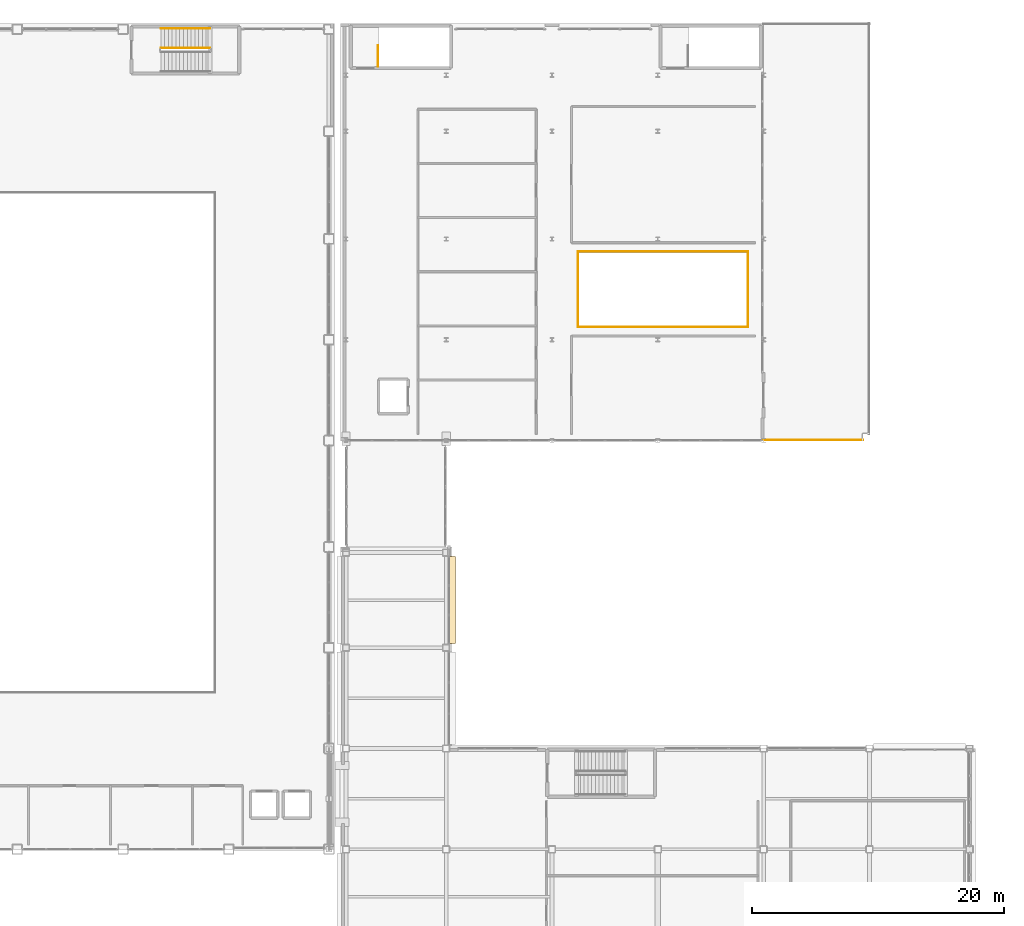
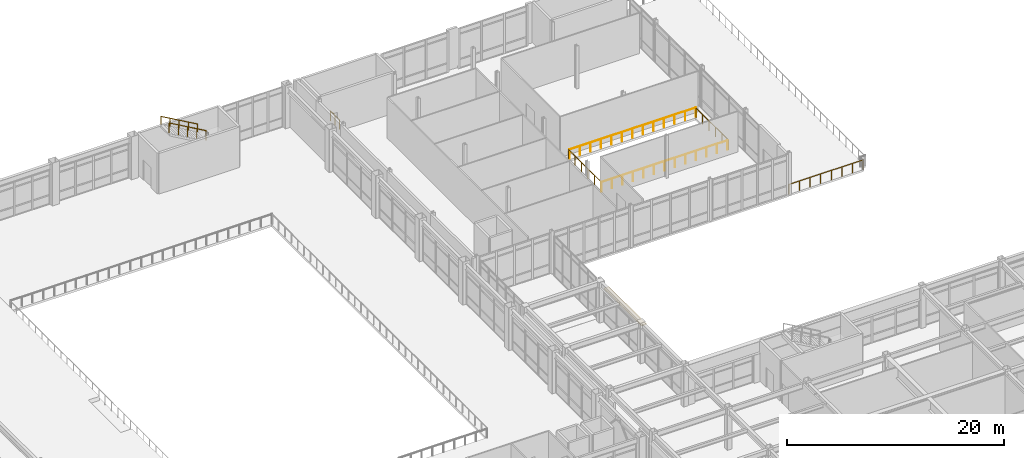
# One storey, part 148 of 154: 8 railings, 1 covering.
"""IFC4 building model written with IfcOpenShell, lengths in metres."""

from ifc_helpers import new_model, si_unit, direction, frame, origin, origin_2d, place, context, subcontext, project, spatial, rectangle, circle, extrude, material, layer, layer_set, type_object, element, save


model = new_model("IFC4")

# Units and contexts
model_context = context("Model", 3, precision=1e-05, world=origin(), true_north=direction((0.0, 1.0)))
body_context = subcontext(model_context, "Body", "Model", "MODEL_VIEW")
ifc_project = project(units=[si_unit("LENGTHUNIT", "METRE"), si_unit("AREAUNIT", "SQUARE_METRE"), si_unit("VOLUMEUNIT", "CUBIC_METRE"), si_unit("PLANEANGLEUNIT", "RADIAN"), si_unit("MASSUNIT", "GRAM", prefix="KILO")], contexts=[model_context])

# Site, building, storey
site_placement = place(None, origin())
site = spatial("IfcSite", under=ifc_project, at=site_placement, CompositionType="ELEMENT")
building_placement = place(site_placement, origin())
building = spatial("IfcBuilding", under=site, at=building_placement, Name="Kazehara Bluff Congress Hotel", CompositionType="ELEMENT")
storey_placement = place(building_placement, frame((0.0, 0.0, 10.199951171875)))
storey = spatial("IfcBuildingStorey", under=building, at=storey_placement, Name="L02", CompositionType="ELEMENT", Elevation=10.199951171875)

# Covering
ifc_material_1 = material(Name="Anodised aluminium architectural brise-soleil", Category="aluminium")
ifc_layer = layer(ifc_material_1, 0.10009765625)
ifc_layer_set = layer_set([ifc_layer], Name="Anodised aluminium architectural brise-soleil")
covering_type = type_object("IfcCoveringType", Name="TP-FAC-FIN", PredefinedType="CLADDING", material=ifc_layer_set)
covering_placement = place(storey_placement, frame((68.1201171875, 68.22509765625, 3.715087890625), z_axis=(0.0, 0.0, 1.0), x_axis=(1.0, 0.0, 0.0)))
element("IfcCovering", 1, at=covering_placement, inside=storey, type_object=covering_type, Name="L02 V4 architectural sun-hood 94", PredefinedType="CLADDING", context=body_context, shape_type="SweptSolid", body=[
    extrude(rectangle(XDim=0.52001953125, YDim=6.89990234375, at=origin_2d()), origin(), (0.0, 0.0, 1.0), 0.10009765625),
])

# Railings
ifc_material_2 = material(Name="Painted galvanised steel", Category="steel")
railing_type_1 = type_object("IfcRailingType", Name="TP-GRD-EXT", PredefinedType="BALUSTRADE", material=ifc_material_2)
railing_1_placement = place(storey_placement, frame((92.85009765625, 80.949951171875, 0.0)))
element("IfcRailing", 2, at=railing_1_placement, inside=storey, type_object=railing_type_1, Name="Spa Bluff Sun Terrace edge guard 1", PredefinedType="BALUSTRADE", context=body_context, shape_type="SweptSolid", body=[
    extrude(circle(Radius=0.02392578125, at=origin_2d()), frame((0.0, 0.0, 1.076171875), z_axis=(1.0, 0.0, 0.0), x_axis=(0.0, 1.0, 0.0)), (0.0, 0.0, 1.0), 7.89990234375),
    extrude(circle(Radius=0.02099609375, at=origin_2d()), origin(), (0.0, 0.0, 1.0), 1.052001953125),
    extrude(circle(Radius=0.02099609375, at=origin_2d()), frame((1.128662109375, 0.0, 0.0)), (0.0, 0.0, 1.0), 1.052001953125),
    extrude(circle(Radius=0.02099609375, at=origin_2d()), frame((2.257080078125, 0.0, 0.0)), (0.0, 0.0, 1.0), 1.052001953125),
    extrude(circle(Radius=0.02099609375, at=origin_2d()), frame((3.3857421875, 0.0, 0.0)), (0.0, 0.0, 1.0), 1.052001953125),
    extrude(circle(Radius=0.02099609375, at=origin_2d()), frame((4.51416015625, 0.0, 0.0)), (0.0, 0.0, 1.0), 1.052001953125),
    extrude(circle(Radius=0.02099609375, at=origin_2d()), frame((5.642822265625, 0.0, 0.0)), (0.0, 0.0, 1.0), 1.052001953125),
    extrude(circle(Radius=0.02099609375, at=origin_2d()), frame((6.771240234375, 0.0, 0.0)), (0.0, 0.0, 1.0), 1.052001953125),
    extrude(circle(Radius=0.02099609375, at=origin_2d()), frame((7.89990234375, 0.0, 0.0)), (0.0, 0.0, 1.0), 1.052001953125),
])
ifc_material_3 = material(Name="Brushed stainless steel", Category="steel")
railing_type_2 = type_object("IfcRailingType", Name="TP-GRD-INT", PredefinedType="GUARDRAIL", material=ifc_material_3)
railing_2_placement = place(storey_placement, frame((48.89990234375, 112.050048828125, 2.571533203125)))
element("IfcRailing", 3, at=railing_2_placement, inside=storey, type_object=railing_type_2, Name="L02 ST-02 stair guard 3", PredefinedType="GUARDRAIL", context=body_context, shape_type="SweptSolid", body=[
    extrude(circle(Radius=0.02392578125, at=origin_2d()), frame((0.0, 0.0, 1.076171875), z_axis=(-0.868243142124, 0.0, 0.496138938357), x_axis=(0.0, -1.0, 0.0)), (0.0, 0.0, 1.0), 4.49169921875),
    extrude(circle(Radius=0.02099609375, at=origin_2d()), origin(), (0.0, 0.0, 1.0), 1.052001953125),
    extrude(circle(Radius=0.02099609375, at=origin_2d()), frame((-0.97509765625, 0.0, 0.55712890625)), (0.0, 0.0, 1.0), 1.052001953125),
    extrude(circle(Radius=0.02099609375, at=origin_2d()), frame((-1.949951171875, 0.0, 1.1142578125)), (0.0, 0.0, 1.0), 1.052001953125),
    extrude(circle(Radius=0.02099609375, at=origin_2d()), frame((-2.9248046875, 0.0, 1.67138671875)), (0.0, 0.0, 1.0), 1.052001953125),
    extrude(circle(Radius=0.02099609375, at=origin_2d()), frame((-3.89990234375, 0.0, 2.228515625)), (0.0, 0.0, 1.0), 1.052001953125),
])
railing_3_placement = place(storey_placement, frame((62.25, 110.60009765625, 0.0)))
element("IfcRailing", 4, at=railing_3_placement, inside=storey, type_object=railing_type_2, Name="L02 ST-06 top well guard 1", PredefinedType="GUARDRAIL", context=body_context, shape_type="SweptSolid", body=[
    extrude(circle(Radius=0.02392578125, at=origin_2d()), frame((0.0, 0.0, 1.076171875), z_axis=(0.0, 1.0, 0.0), x_axis=(-1.0, 0.0, 0.0)), (0.0, 0.0, 1.0), 1.64990234375),
    extrude(circle(Radius=0.02099609375, at=origin_2d()), origin(), (0.0, 0.0, 1.0), 1.052001953125),
    extrude(circle(Radius=0.02099609375, at=origin_2d()), frame((0.0, 0.824951171875, 0.0)), (0.0, 0.0, 1.0), 1.052001953125),
    extrude(circle(Radius=0.02099609375, at=origin_2d()), frame((0.0, 1.64990234375, 0.0)), (0.0, 0.0, 1.0), 1.052001953125),
])
railing_4_placement = place(storey_placement, frame((78.10009765625, 89.89990234375, 0.0)))
element("IfcRailing", 5, at=railing_4_placement, inside=storey, type_object=railing_type_2, Name="L02 V3-OVLK void guardrail S", PredefinedType="GUARDRAIL", context=body_context, shape_type="SweptSolid", body=[
    extrude(circle(Radius=0.02392578125, at=origin_2d()), frame((0.0, 0.0, 1.076171875), z_axis=(1.0, 0.0, 0.0), x_axis=(0.0, 1.0, 0.0)), (0.0, 0.0, 1.0), 13.419921875),
    extrude(circle(Radius=0.02099609375, at=origin_2d()), origin(), (0.0, 0.0, 1.0), 1.052001953125),
    extrude(circle(Radius=0.02099609375, at=origin_2d()), frame((1.118408203125, 0.0, 0.0)), (0.0, 0.0, 1.0), 1.052001953125),
    extrude(circle(Radius=0.02099609375, at=origin_2d()), frame((2.236572265625, 0.0, 0.0)), (0.0, 0.0, 1.0), 1.052001953125),
    extrude(circle(Radius=0.02099609375, at=origin_2d()), frame((3.35498046875, 0.0, 0.0)), (0.0, 0.0, 1.0), 1.052001953125),
    extrude(circle(Radius=0.02099609375, at=origin_2d()), frame((4.473388671875, 0.0, 0.0)), (0.0, 0.0, 1.0), 1.052001953125),
    extrude(circle(Radius=0.02099609375, at=origin_2d()), frame((5.591552734375, 0.0, 0.0)), (0.0, 0.0, 1.0), 1.052001953125),
    extrude(circle(Radius=0.02099609375, at=origin_2d()), frame((6.7099609375, 0.0, 0.0)), (0.0, 0.0, 1.0), 1.052001953125),
    extrude(circle(Radius=0.02099609375, at=origin_2d()), frame((7.828369140625, 0.0, 0.0)), (0.0, 0.0, 1.0), 1.052001953125),
    extrude(circle(Radius=0.02099609375, at=origin_2d()), frame((8.946533203125, 0.0, 0.0)), (0.0, 0.0, 1.0), 1.052001953125),
    extrude(circle(Radius=0.02099609375, at=origin_2d()), frame((10.06494140625, 0.0, 0.0)), (0.0, 0.0, 1.0), 1.052001953125),
    extrude(circle(Radius=0.02099609375, at=origin_2d()), frame((11.183349609375, 0.0, 0.0)), (0.0, 0.0, 1.0), 1.052001953125),
    extrude(circle(Radius=0.02099609375, at=origin_2d()), frame((12.301513671875, 0.0, 0.0)), (0.0, 0.0, 1.0), 1.052001953125),
    extrude(circle(Radius=0.02099609375, at=origin_2d()), frame((13.419921875, 0.0, 0.0)), (0.0, 0.0, 1.0), 1.052001953125),
])
railing_5_placement = place(storey_placement, frame((91.60009765625, 89.89990234375, 0.0)))
element("IfcRailing", 6, at=railing_5_placement, inside=storey, type_object=railing_type_2, Name="L02 V3-OVLK void guardrail E", PredefinedType="GUARDRAIL", context=body_context, shape_type="SweptSolid", body=[
    extrude(circle(Radius=0.02392578125, at=origin_2d()), frame((0.0, 0.0, 1.076171875), z_axis=(0.0, 1.0, 0.0), x_axis=(-1.0, 0.0, 0.0)), (0.0, 0.0, 1.0), 5.920166015625),
    extrude(circle(Radius=0.02099609375, at=origin_2d()), origin(), (0.0, 0.0, 1.0), 1.052001953125),
    extrude(circle(Radius=0.02099609375, at=origin_2d()), frame((0.0, 1.18408203125, 0.0)), (0.0, 0.0, 1.0), 1.052001953125),
    extrude(circle(Radius=0.02099609375, at=origin_2d()), frame((0.0, 2.3681640625, 0.0)), (0.0, 0.0, 1.0), 1.052001953125),
    extrude(circle(Radius=0.02099609375, at=origin_2d()), frame((0.0, 3.552001953125, 0.0)), (0.0, 0.0, 1.0), 1.052001953125),
    extrude(circle(Radius=0.02099609375, at=origin_2d()), frame((0.0, 4.736083984375, 0.0)), (0.0, 0.0, 1.0), 1.052001953125),
    extrude(circle(Radius=0.02099609375, at=origin_2d()), frame((0.0, 5.920166015625, 0.0)), (0.0, 0.0, 1.0), 1.052001953125),
])
railing_6_placement = place(storey_placement, frame((91.60009765625, 95.89990234375, 0.0)))
element("IfcRailing", 7, at=railing_6_placement, inside=storey, type_object=railing_type_2, Name="L02 V3-OVLK void guardrail N", PredefinedType="GUARDRAIL", context=body_context, shape_type="SweptSolid", body=[
    extrude(circle(Radius=0.02392578125, at=origin_2d()), frame((0.0, 0.0, 1.076171875), z_axis=(-1.0, 0.0, 0.0), x_axis=(0.0, -1.0, 0.0)), (0.0, 0.0, 1.0), 13.420166015625),
    extrude(circle(Radius=0.02099609375, at=origin_2d()), origin(), (0.0, 0.0, 1.0), 1.052001953125),
    extrude(circle(Radius=0.02099609375, at=origin_2d()), frame((-1.118408203125, 0.0, 0.0)), (0.0, 0.0, 1.0), 1.052001953125),
    extrude(circle(Radius=0.02099609375, at=origin_2d()), frame((-2.23681640625, 0.0, 0.0)), (0.0, 0.0, 1.0), 1.052001953125),
    extrude(circle(Radius=0.02099609375, at=origin_2d()), frame((-3.35498046875, 0.0, 0.0)), (0.0, 0.0, 1.0), 1.052001953125),
    extrude(circle(Radius=0.02099609375, at=origin_2d()), frame((-4.473388671875, 0.0, 0.0)), (0.0, 0.0, 1.0), 1.052001953125),
    extrude(circle(Radius=0.02099609375, at=origin_2d()), frame((-5.591796875, 0.0, 0.0)), (0.0, 0.0, 1.0), 1.052001953125),
    extrude(circle(Radius=0.02099609375, at=origin_2d()), frame((-6.7099609375, 0.0, 0.0)), (0.0, 0.0, 1.0), 1.052001953125),
    extrude(circle(Radius=0.02099609375, at=origin_2d()), frame((-7.828369140625, 0.0, 0.0)), (0.0, 0.0, 1.0), 1.052001953125),
    extrude(circle(Radius=0.02099609375, at=origin_2d()), frame((-8.94677734375, 0.0, 0.0)), (0.0, 0.0, 1.0), 1.052001953125),
    extrude(circle(Radius=0.02099609375, at=origin_2d()), frame((-10.065185546875, 0.0, 0.0)), (0.0, 0.0, 1.0), 1.052001953125),
    extrude(circle(Radius=0.02099609375, at=origin_2d()), frame((-11.18359375, 0.0, 0.0)), (0.0, 0.0, 1.0), 1.052001953125),
    extrude(circle(Radius=0.02099609375, at=origin_2d()), frame((-12.3017578125, 0.0, 0.0)), (0.0, 0.0, 1.0), 1.052001953125),
    extrude(circle(Radius=0.02099609375, at=origin_2d()), frame((-13.420166015625, 0.0, 0.0)), (0.0, 0.0, 1.0), 1.052001953125),
])
railing_7_placement = place(storey_placement, frame((78.10009765625, 95.89990234375, 0.0)))
element("IfcRailing", 8, at=railing_7_placement, inside=storey, type_object=railing_type_2, Name="L02 V3-OVLK void guardrail W", PredefinedType="GUARDRAIL", context=body_context, shape_type="SweptSolid", body=[
    extrude(circle(Radius=0.02392578125, at=origin_2d()), frame((0.0, 0.0, 1.076171875), z_axis=(0.0, -1.0, 0.0), x_axis=(1.0, 0.0, 0.0)), (0.0, 0.0, 1.0), 5.919921875),
    extrude(circle(Radius=0.02099609375, at=origin_2d()), origin(), (0.0, 0.0, 1.0), 1.052001953125),
    extrude(circle(Radius=0.02099609375, at=origin_2d()), frame((0.0, -1.18408203125, 0.0)), (0.0, 0.0, 1.0), 1.052001953125),
    extrude(circle(Radius=0.02099609375, at=origin_2d()), frame((0.0, -2.367919921875, 0.0)), (0.0, 0.0, 1.0), 1.052001953125),
    extrude(circle(Radius=0.02099609375, at=origin_2d()), frame((0.0, -3.552001953125, 0.0)), (0.0, 0.0, 1.0), 1.052001953125),
    extrude(circle(Radius=0.02099609375, at=origin_2d()), frame((0.0, -4.73583984375, 0.0)), (0.0, 0.0, 1.0), 1.052001953125),
    extrude(circle(Radius=0.02099609375, at=origin_2d()), frame((0.0, -5.919921875, 0.0)), (0.0, 0.0, 1.0), 1.052001953125),
])
ifc_material_4 = material(Name="Brushed stainless steel", Category="steel")
railing_type_3 = type_object("IfcRailingType", Name="TP-HR-INT", PredefinedType="HANDRAIL", material=ifc_material_4)
railing_8_placement = place(storey_placement, frame((48.89990234375, 113.60009765625, 2.571533203125)))
element("IfcRailing", 9, at=railing_8_placement, inside=storey, type_object=railing_type_3, Name="L02 ST-02 stair handrail 2", PredefinedType="HANDRAIL", context=body_context, shape_type="SweptSolid", body=[
    extrude(circle(Radius=0.02392578125, at=origin_2d()), frame((0.0, 0.0, 0.8759765625), z_axis=(-0.868243142124, 0.0, 0.496138938357), x_axis=(0.0, -1.0, 0.0)), (0.0, 0.0, 1.0), 4.49169921875),
    extrude(circle(Radius=0.02099609375, at=origin_2d()), origin(), (0.0, 0.0, 1.0), 0.851806640625),
    extrude(circle(Radius=0.02099609375, at=origin_2d()), frame((-0.97509765625, 0.0, 0.55712890625)), (0.0, 0.0, 1.0), 0.851806640625),
    extrude(circle(Radius=0.02099609375, at=origin_2d()), frame((-1.949951171875, 0.0, 1.1142578125)), (0.0, 0.0, 1.0), 0.851806640625),
    extrude(circle(Radius=0.02099609375, at=origin_2d()), frame((-2.9248046875, 0.0, 1.67138671875)), (0.0, 0.0, 1.0), 0.851806640625),
    extrude(circle(Radius=0.02099609375, at=origin_2d()), frame((-3.89990234375, 0.0, 2.228515625)), (0.0, 0.0, 1.0), 0.851806640625),
])

save(model, "model.ifc")
